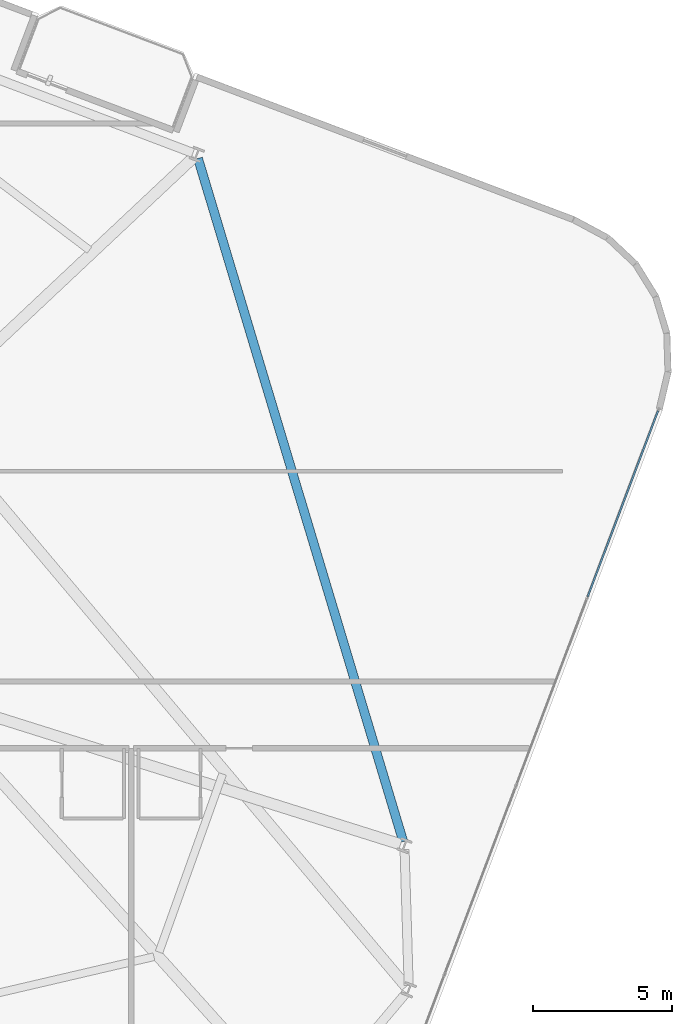
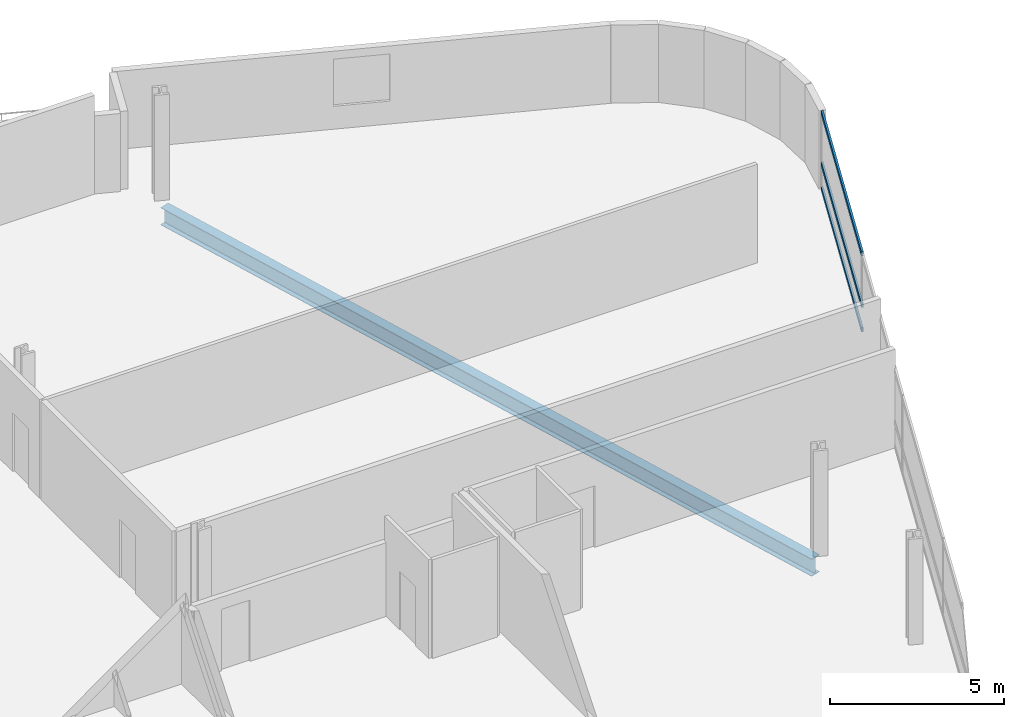
# One storey, part 14 of 25: 3 members, 1 beam, 1 element without a shape of its own.
"""IFC4 building model written with IfcOpenShell, lengths in metres."""

from ifc_helpers import new_model, si_unit, direction, frame, origin, origin_2d, place, context, subcontext, project, spatial, hollow_rectangle, i_section, extrude, material, layer, layer_set, material_profile, profile_set, type_object, element, aggregate, save


model = new_model("IFC4")

# Units and contexts
model_context = context("Model", 3, precision=1e-05, world=origin(), true_north=direction((0.0, 1.0)))
body_context = subcontext(model_context, "Body", "Model", "MODEL_VIEW")
ifc_project = project(units=[si_unit("LENGTHUNIT", "METRE"), si_unit("AREAUNIT", "SQUARE_METRE"), si_unit("VOLUMEUNIT", "CUBIC_METRE"), si_unit("PLANEANGLEUNIT", "RADIAN"), si_unit("MASSUNIT", "GRAM", prefix="KILO")], contexts=[model_context])

# Site, building, storey
site_placement = place(None, origin())
site = spatial("IfcSite", under=ifc_project, at=site_placement, CompositionType="ELEMENT")
building_placement = place(site_placement, origin())
building = spatial("IfcBuilding", under=site, at=building_placement, Name="Varnelok Gate Tower", CompositionType="ELEMENT")
storey_placement = place(building_placement, frame((0.0, 0.0, 83.60009765625)))
storey = spatial("IfcBuildingStorey", under=building, at=storey_placement, Name="L20", CompositionType="ELEMENT", Elevation=83.60009765625)

# Beam
ifc_material_1 = material(Name="Structural Steel ASTM A992 Grade 50", Category="steel")
ifc_material_profile_1 = material_profile(ifc_material_1, i_section(OverallWidth=0.323974609375, OverallDepth=0.611083984375, WebThickness=0.0126953125, FlangeThickness=0.01904296875, FilletRadius=0.01806640625, at=origin_2d()), Name="W24X104")
ifc_profile_set_1 = profile_set([ifc_material_profile_1], Name="Structural Steel ASTM A992 Grade 50")
beam_type = type_object("IfcBeamType", Name="BM-SPN-W24X104", PredefinedType="SPANDREL", material=ifc_profile_set_1)
beam_placement = place(storey_placement, frame((71.27587890625, 13.497802734375, -0.5556640625), z_axis=(-0.287745549664, 0.957706896001, 0.0), x_axis=(-0.957706896001, -0.287745549664, 0.0)))
element("IfcBeam", 1, at=beam_placement, inside=storey, type_object=beam_type, Name="L20 Perimeter Spandrel Beam 8", PredefinedType="SPANDREL", context=body_context, shape_type="SweptSolid", body=[
    extrude(i_section(OverallWidth=0.323974609375, OverallDepth=0.611083984375, WebThickness=0.0126953125, FlangeThickness=0.01904296875, FilletRadius=0.01806640625, at=origin_2d()), origin(), (0.0, 0.0, 1.0), 25.6259765625),
])

# Curtain wall, members
ifc_material_2 = material(Name="Anodized Aluminum Alloy 6063-T6", Category="aluminium")
ifc_layer = layer(ifc_material_2, 0.179931640625)
ifc_layer_set = layer_set([ifc_layer], Name="Anodized Aluminum Alloy 6063-T6")
curtain_wall_type = type_object("IfcCurtainWallType", Name="CW3-HOTEL-VISION", PredefinedType="USERDEFINED", material=ifc_layer_set)
curtain_wall_placement = place(storey_placement, origin())
curtain_wall = element("IfcCurtainWall", 2, at=curtain_wall_placement, inside=storey, type_object=curtain_wall_type, Name="L20 East End Vision Curtain Wall", ObjectType="UNITISED CURTAIN WALL", PredefinedType="USERDEFINED")
ifc_material_profile_2 = material_profile(ifc_material_2, hollow_rectangle(XDim=0.06494140625, YDim=0.159912109375, WallThickness=0.00390625, at=origin_2d()), Name="ALU160X65X4")
ifc_profile_set_2 = profile_set([ifc_material_profile_2], Name="Anodized Aluminum Alloy 6063-T6")
member_type = type_object("IfcMemberType", Name="CW-TRAN-160", PredefinedType="USERDEFINED", material=ifc_profile_set_2)
member_1_placement = place(storey_placement, frame((80.431884765625, 28.974365234375, 0.032470703125), z_axis=(-0.35404725046, -0.935227536187, 0.0), x_axis=(0.935227536187, -0.35404725046, 0.0)))
member_1 = element("IfcMember", 3, at=member_1_placement, type_object=member_type, Name="CW3 transom 1.1", ObjectType="TRANSOM", PredefinedType="USERDEFINED", context=body_context, shape_type="SweptSolid", body=[
    extrude(hollow_rectangle(XDim=0.06494140625, YDim=0.159912109375, WallThickness=0.00390625, at=origin_2d()), origin(), (0.0, 0.0, 1.0), 7.142578125),
])
member_2_placement = place(storey_placement, frame((80.431884765625, 28.974365234375, 0.89990234375), z_axis=(-0.35404725046, -0.935227536187, 0.0), x_axis=(0.935227536187, -0.35404725046, 0.0)))
member_2 = element("IfcMember", 4, at=member_2_placement, type_object=member_type, Name="CW3 transom 1.2", ObjectType="TRANSOM", PredefinedType="USERDEFINED", context=body_context, shape_type="SweptSolid", body=[
    extrude(hollow_rectangle(XDim=0.06494140625, YDim=0.159912109375, WallThickness=0.00390625, at=origin_2d()), origin(), (0.0, 0.0, 1.0), 7.142578125),
])
member_3_placement = place(storey_placement, frame((80.431884765625, 28.974365234375, 2.697509765625), z_axis=(-0.35404725046, -0.935227536187, 0.0), x_axis=(0.935227536187, -0.35404725046, 0.0)))
member_3 = element("IfcMember", 5, at=member_3_placement, type_object=member_type, Name="CW3 transom 1.3", ObjectType="TRANSOM", PredefinedType="USERDEFINED", context=body_context, shape_type="SweptSolid", body=[
    extrude(hollow_rectangle(XDim=0.06494140625, YDim=0.159912109375, WallThickness=0.00390625, at=origin_2d()), origin(), (0.0, 0.0, 1.0), 7.142578125),
])
aggregate(curtain_wall, [member_1, member_2, member_3])

save(model, "model.ifc")
